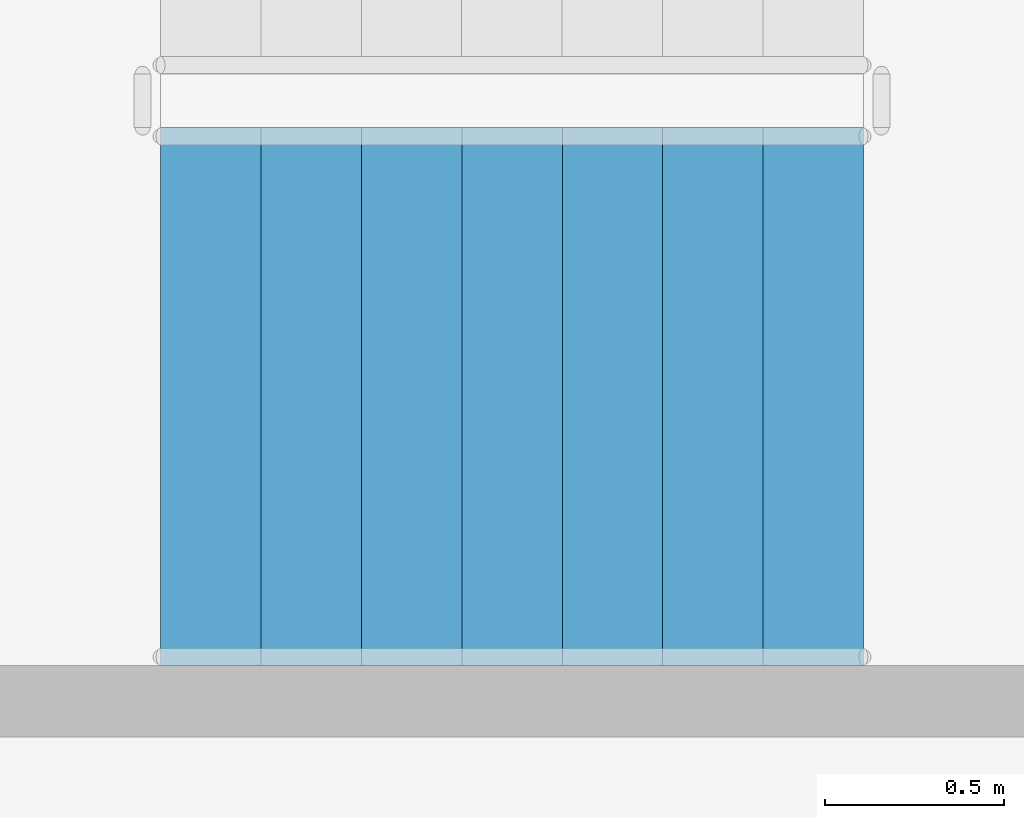
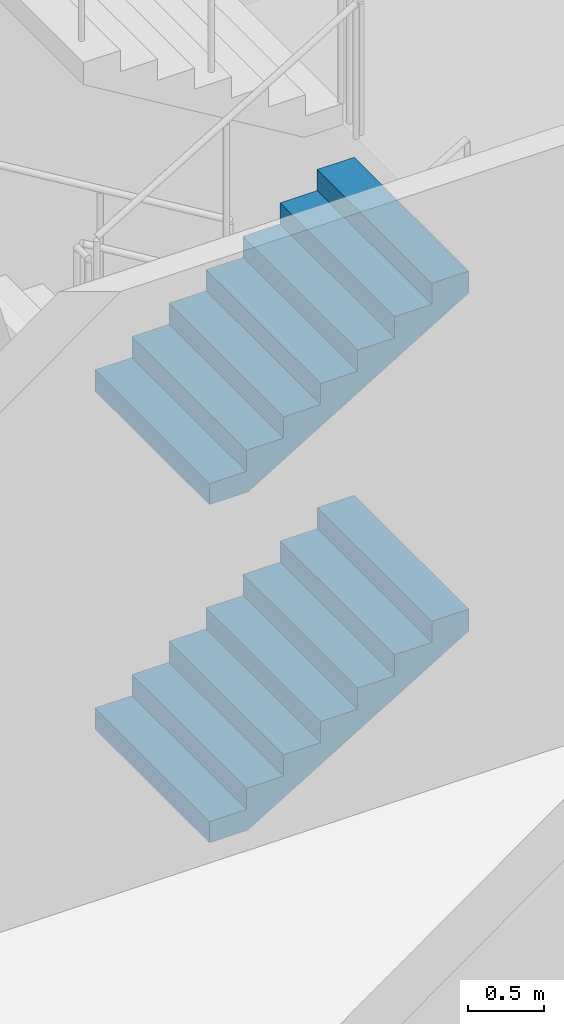
# One storey, part 53 of 101: 2 stair flights, 1 element without a shape of its own.
"""IFC4 building model written with IfcOpenShell, lengths in metres."""

from ifc_helpers import new_model, si_unit, direction, frame, origin, place, context, subcontext, project, spatial, triangles, material, type_object, element, aggregate, save


model = new_model("IFC4")

# Units and contexts
model_context = context("Model", 3, precision=1e-05, world=origin(), true_north=direction((0.0, 1.0)))
body_context = subcontext(model_context, "Body", "Model", "MODEL_VIEW")
ifc_project = project(units=[si_unit("LENGTHUNIT", "METRE"), si_unit("AREAUNIT", "SQUARE_METRE"), si_unit("VOLUMEUNIT", "CUBIC_METRE"), si_unit("PLANEANGLEUNIT", "RADIAN"), si_unit("MASSUNIT", "GRAM", prefix="KILO")], contexts=[model_context])

# Site, building, storey
site_placement = place(None, origin())
site = spatial("IfcSite", under=ifc_project, at=site_placement, CompositionType="ELEMENT")
building_placement = place(site_placement, origin())
building = spatial("IfcBuilding", under=site, at=building_placement, Name="Magnolia Steps Interchange", CompositionType="ELEMENT")
storey_placement = place(building_placement, frame((0.0, 0.0, -5.39990234375)))
storey = spatial("IfcBuildingStorey", under=building, at=storey_placement, Name="B1", CompositionType="ELEMENT", Elevation=-5.39990234375)

# Stair, stair flights
ifc_material_1 = material(Name="Concrete C40", Category="concrete")
stair_type = type_object("IfcStairType", Name="Exit stair 1500", PredefinedType="HALF_TURN_STAIR", material=ifc_material_1)
stair_placement = place(storey_placement, origin())
stair = element("IfcStair", 1, at=stair_placement, inside=storey, type_object=stair_type, Name="B1 Stair 7", PredefinedType="HALF_TURN_STAIR")
ifc_material_2 = material(Name="Concrete C40", Category="concrete")
stair_flight_type = type_object("IfcStairFlightType", Name="Exit stair flight", PredefinedType="STRAIGHT", material=ifc_material_2)
stair_flight_1_placement = place(storey_placement, frame((112.199951171875, 50.300048828125, 0.0), z_axis=(0.0, 0.0, 1.0), x_axis=(1.0, 0.0, 0.0)))
stair_flight_1 = element("IfcStairFlight", 2, at=stair_flight_1_placement, type_object=stair_flight_type, Name="Stair 7 flight 1", NumberOfRisers=8, NumberOfTreads=7, PredefinedType="STRAIGHT", RiserHeight=0.16875, TreadLength=0.28, context=body_context, shape_type="Tessellation", body=[
    triangles([(0.0, -0.75, 0.0), (0.29052734375, -0.75, 0.0), (1.9599609375, -0.75, 1.00634765625), (1.9599609375, -0.75, 1.18115234375), (1.679931640625, -0.75, 1.18115234375), (1.679931640625, -0.75, 1.012451171875), (1.39990234375, -0.75, 1.012451171875), (1.39990234375, -0.75, 0.84375), (1.1201171875, -0.75, 0.84375), (1.1201171875, -0.75, 0.675048828125), (0.840087890625, -0.75, 0.675048828125), (0.840087890625, -0.75, 0.50634765625), (0.56005859375, -0.75, 0.50634765625), (0.56005859375, -0.75, 0.33740234375), (0.280029296875, -0.75, 0.33740234375), (0.280029296875, -0.75, 0.168701171875), (0.0, -0.75, 0.168701171875), (0.0, 0.75, 0.0), (0.29052734375, 0.75, 0.0), (1.9599609375, 0.75, 1.00634765625), (1.9599609375, 0.75, 1.18115234375), (1.679931640625, 0.75, 1.18115234375), (1.679931640625, 0.75, 1.012451171875), (1.39990234375, 0.75, 1.012451171875), (1.39990234375, 0.75, 0.84375), (1.1201171875, 0.75, 0.84375), (1.1201171875, 0.75, 0.675048828125), (0.840087890625, 0.75, 0.675048828125), (0.840087890625, 0.75, 0.50634765625), (0.56005859375, 0.75, 0.50634765625), (0.56005859375, 0.75, 0.33740234375), (0.280029296875, 0.75, 0.33740234375), (0.280029296875, 0.75, 0.168701171875), (0.0, 0.75, 0.168701171875), (0.0, 0.0, 0.0), (0.0, 0.0, 0.04217529296875), (0.0, 0.0, 0.0843505859375), (0.0, 0.0, 0.12652587890625), (0.0, 0.0, 0.168701171875), (0.0, -0.05, 0.0), (0.0, -0.05, 0.168701171875), (0.0, 0.05, 0.0), (0.0, 0.05, 0.168701171875), (0.046671549479166664, 0.0, 0.168701171875), (0.09334309895833333, 0.0, 0.168701171875), (0.1400146484375, 0.0, 0.168701171875), (0.18668619791666666, 0.0, 0.168701171875), (0.23335774739583334, 0.0, 0.168701171875), (0.280029296875, 0.0, 0.168701171875), (0.280029296875, -0.05, 0.168701171875), (0.280029296875, 0.05, 0.168701171875), (0.280029296875, 0.0, 0.21087646484375), (0.280029296875, 0.0, 0.2530517578125), (0.280029296875, 0.0, 0.29522705078125), (0.280029296875, 0.0, 0.33740234375), (0.280029296875, -0.05, 0.33740234375), (0.280029296875, 0.05, 0.33740234375), (0.3267008463541667, 0.0, 0.33740234375), (0.3733723958333333, 0.0, 0.33740234375), (0.4200439453125, 0.0, 0.33740234375), (0.46671549479166663, 0.0, 0.33740234375), (0.5133870442708334, 0.0, 0.33740234375), (0.56005859375, 0.0, 0.33740234375), (0.56005859375, -0.05, 0.33740234375), (0.56005859375, 0.05, 0.33740234375), (0.56005859375, 0.0, 0.379638671875), (0.56005859375, 0.0, 0.421875), (0.56005859375, 0.0, 0.464111328125), (0.56005859375, 0.0, 0.50634765625), (0.56005859375, -0.05, 0.50634765625), (0.56005859375, 0.05, 0.50634765625), (0.6067301432291666, 0.0, 0.50634765625), (0.6534016927083334, 0.0, 0.50634765625), (0.7000732421875, 0.0, 0.50634765625), (0.7467447916666666, 0.0, 0.50634765625), (0.7934163411458334, 0.0, 0.50634765625), (0.840087890625, 0.0, 0.50634765625), (0.840087890625, -0.05, 0.50634765625), (0.840087890625, 0.05, 0.50634765625), (0.840087890625, 0.0, 0.54852294921875), (0.840087890625, 0.0, 0.5906982421875), (0.840087890625, 0.0, 0.63287353515625), (0.840087890625, 0.0, 0.675048828125), (0.840087890625, -0.05, 0.675048828125), (0.840087890625, 0.05, 0.675048828125), (0.8867594401041666, 0.0, 0.675048828125), (0.9334309895833334, 0.0, 0.675048828125), (0.9801025390625, 0.0, 0.675048828125), (1.0267740885416667, 0.0, 0.675048828125), (1.0734456380208333, 0.0, 0.675048828125), (1.1201171875, 0.0, 0.675048828125), (1.1201171875, -0.05, 0.675048828125), (1.1201171875, 0.05, 0.675048828125), (1.1201171875, 0.0, 0.71722412109375), (1.1201171875, 0.0, 0.7593994140625), (1.1201171875, 0.0, 0.80157470703125), (1.1201171875, 0.0, 0.84375), (1.1201171875, -0.05, 0.84375), (1.1201171875, 0.05, 0.84375), (1.1900634765625, 0.0, 0.84375), (1.260009765625, 0.0, 0.84375), (1.3299560546875, 0.0, 0.84375), (1.39990234375, 0.0, 0.84375), (1.39990234375, -0.05, 0.84375), (1.39990234375, 0.05, 0.84375), (1.39990234375, 0.0, 0.88592529296875), (1.39990234375, 0.0, 0.9281005859375), (1.39990234375, 0.0, 0.97027587890625), (1.39990234375, 0.0, 1.012451171875), (1.39990234375, -0.05, 1.012451171875), (1.39990234375, 0.05, 1.012451171875), (1.4465738932291667, 0.0, 1.012451171875), (1.4932454427083333, 0.0, 1.012451171875), (1.5399169921875, 0.0, 1.012451171875), (1.5865885416666667, 0.0, 1.012451171875), (1.6332600911458333, 0.0, 1.012451171875), (1.679931640625, 0.0, 1.012451171875), (1.679931640625, -0.05, 1.012451171875), (1.679931640625, 0.05, 1.012451171875), (1.679931640625, 0.0, 1.05462646484375), (1.679931640625, 0.0, 1.0968017578125), (1.679931640625, 0.0, 1.13897705078125), (1.679931640625, 0.0, 1.18115234375), (1.679931640625, -0.05, 1.18115234375), (1.679931640625, 0.05, 1.18115234375), (1.7266031901041667, 0.0, 1.18115234375), (1.7732747395833333, 0.0, 1.18115234375), (1.8199462890625, 0.0, 1.18115234375), (1.8666178385416667, 0.0, 1.18115234375), (1.9132893880208333, 0.0, 1.18115234375), (1.9599609375, 0.0, 1.18115234375), (1.9599609375, -0.05, 1.18115234375), (1.9599609375, 0.05, 1.18115234375), (1.9599609375, 0.0, 1.137451171875), (1.9599609375, 0.0, 1.09375), (1.9599609375, 0.0, 1.050048828125), (1.9599609375, 0.0, 1.00634765625), (1.9599609375, -0.05, 1.00634765625), (1.9599609375, 0.05, 1.00634765625), (1.9003383091517858, 0.0, 0.9704066685267857), (1.8407156808035714, 0.0, 0.9344656808035714), (1.7810930524553572, 0.0, 0.8985246930803571), (1.7214704241071428, 0.0, 0.8625837053571428), (1.6618477957589286, 0.0, 0.8266427176339286), (1.6022251674107144, 0.0, 0.7907017299107143), (1.5426025390625, 0.0, 0.7547607421875), (1.4829799107142856, 0.0, 0.7188197544642857), (1.4233572823660714, 0.0, 0.6828787667410714), (1.3637346540178572, 0.0, 0.6469377790178572), (1.3041120256696428, 0.0, 0.6109967912946428), (1.2444893973214286, 0.0, 0.5750558035714286), (1.1848667689732144, 0.0, 0.5391148158482143), (1.125244140625, 0.0, 0.503173828125), (1.0656215122767856, 0.0, 0.4672328404017857), (1.0059988839285714, 0.0, 0.4312918526785714), (0.9463762555803572, 0.0, 0.3953508649553571), (0.8867536272321428, 0.0, 0.3594098772321429), (0.8271309988839286, 0.0, 0.3234688895089286), (0.7675083705357142, 0.0, 0.2875279017857143), (0.7078857421875, 0.0, 0.2515869140625), (0.6482631138392858, 0.0, 0.2156459263392857), (0.5886404854910714, 0.0, 0.1797049386160714), (0.5290178571428572, 0.0, 0.1437639508928571), (0.4693952287946428, 0.0, 0.1078229631696429), (0.4097726004464286, 0.0, 0.0718819754464286), (0.3501499720982142, 0.0, 0.0359409877232143), (0.29052734375, 0.0, 0.0), (0.29052734375, -0.05, 0.0), (0.29052734375, 0.05, 0.0), (0.24210611979166666, 0.0, 0.0), (0.19368489583333331, 0.0, 0.0), (0.145263671875, 0.0, 0.0), (0.09684244791666666, 0.0, 0.0), (0.04842122395833334, 0.0, 0.0)], [[1, 2, 3], [3, 4, 5], [3, 5, 6], [3, 6, 7], [3, 7, 8], [8, 9, 10], [3, 8, 10], [10, 11, 12], [3, 10, 12], [12, 13, 14], [3, 12, 14], [14, 15, 16], [3, 14, 16], [1, 3, 16], [16, 17, 1], [18, 20, 19], [20, 22, 21], [20, 23, 22], [20, 24, 23], [20, 25, 24], [25, 27, 26], [20, 27, 25], [27, 29, 28], [20, 29, 27], [29, 31, 30], [20, 31, 29], [31, 33, 32], [20, 33, 31], [18, 33, 20], [33, 18, 34], [1, 17, 41], [1, 41, 40], [40, 36, 35], [40, 37, 36], [40, 41, 37], [41, 38, 37], [41, 39, 38], [18, 43, 34], [18, 42, 43], [42, 35, 36], [42, 36, 37], [42, 37, 43], [43, 37, 38], [43, 38, 39], [17, 16, 50], [17, 50, 41], [41, 44, 39], [41, 45, 44], [41, 46, 45], [41, 50, 46], [50, 47, 46], [50, 48, 47], [50, 49, 48], [34, 51, 33], [34, 43, 51], [43, 39, 44], [43, 44, 45], [43, 45, 46], [43, 46, 51], [51, 46, 47], [51, 47, 48], [51, 48, 49], [16, 15, 56], [16, 56, 50], [50, 52, 49], [50, 53, 52], [50, 56, 53], [56, 54, 53], [56, 55, 54], [33, 57, 32], [33, 51, 57], [51, 49, 52], [51, 52, 53], [51, 53, 57], [57, 53, 54], [57, 54, 55], [15, 14, 64], [15, 64, 56], [56, 58, 55], [56, 59, 58], [56, 60, 59], [56, 64, 60], [64, 61, 60], [64, 62, 61], [64, 63, 62], [32, 65, 31], [32, 57, 65], [57, 55, 58], [57, 58, 59], [57, 59, 60], [57, 60, 65], [65, 60, 61], [65, 61, 62], [65, 62, 63], [14, 13, 70], [14, 70, 64], [64, 66, 63], [64, 67, 66], [64, 70, 67], [70, 68, 67], [70, 69, 68], [31, 71, 30], [31, 65, 71], [65, 63, 66], [65, 66, 67], [65, 67, 71], [71, 67, 68], [71, 68, 69], [13, 12, 78], [13, 78, 70], [70, 72, 69], [70, 73, 72], [70, 74, 73], [70, 78, 74], [78, 75, 74], [78, 76, 75], [78, 77, 76], [30, 79, 29], [30, 71, 79], [71, 69, 72], [71, 72, 73], [71, 73, 74], [71, 74, 79], [79, 74, 75], [79, 75, 76], [79, 76, 77], [12, 11, 84], [12, 84, 78], [78, 80, 77], [78, 81, 80], [78, 84, 81], [84, 82, 81], [84, 83, 82], [29, 85, 28], [29, 79, 85], [79, 77, 80], [79, 80, 81], [79, 81, 85], [85, 81, 82], [85, 82, 83], [11, 10, 92], [11, 92, 84], [84, 86, 83], [84, 87, 86], [84, 88, 87], [84, 92, 88], [92, 89, 88], [92, 90, 89], [92, 91, 90], [28, 93, 27], [28, 85, 93], [85, 83, 86], [85, 86, 87], [85, 87, 88], [85, 88, 93], [93, 88, 89], [93, 89, 90], [93, 90, 91], [10, 9, 98], [10, 98, 92], [92, 94, 91], [92, 95, 94], [92, 98, 95], [98, 96, 95], [98, 97, 96], [27, 99, 26], [27, 93, 99], [93, 91, 94], [93, 94, 95], [93, 95, 99], [99, 95, 96], [99, 96, 97], [9, 8, 104], [9, 104, 98], [98, 100, 97], [98, 101, 100], [98, 104, 101], [104, 102, 101], [104, 103, 102], [26, 105, 25], [26, 99, 105], [99, 97, 100], [99, 100, 101], [99, 101, 105], [105, 101, 102], [105, 102, 103], [8, 7, 110], [8, 110, 104], [104, 106, 103], [104, 107, 106], [104, 110, 107], [110, 108, 107], [110, 109, 108], [25, 111, 24], [25, 105, 111], [105, 103, 106], [105, 106, 107], [105, 107, 111], [111, 107, 108], [111, 108, 109], [7, 6, 118], [7, 118, 110], [110, 112, 109], [110, 113, 112], [110, 114, 113], [110, 118, 114], [118, 115, 114], [118, 116, 115], [118, 117, 116], [24, 119, 23], [24, 111, 119], [111, 109, 112], [111, 112, 113], [111, 113, 114], [111, 114, 119], [119, 114, 115], [119, 115, 116], [119, 116, 117], [6, 5, 124], [6, 124, 118], [118, 120, 117], [118, 121, 120], [118, 124, 121], [124, 122, 121], [124, 123, 122], [23, 125, 22], [23, 119, 125], [119, 117, 120], [119, 120, 121], [119, 121, 125], [125, 121, 122], [125, 122, 123], [5, 4, 132], [5, 132, 124], [124, 126, 123], [124, 127, 126], [124, 128, 127], [124, 132, 128], [132, 129, 128], [132, 130, 129], [132, 131, 130], [22, 133, 21], [22, 125, 133], [125, 123, 126], [125, 126, 127], [125, 127, 128], [125, 128, 133], [133, 128, 129], [133, 129, 130], [133, 130, 131], [4, 3, 138], [4, 138, 132], [132, 134, 131], [132, 135, 134], [132, 138, 135], [138, 136, 135], [138, 137, 136], [21, 139, 20], [21, 133, 139], [133, 131, 134], [133, 134, 135], [133, 135, 139], [139, 135, 136], [139, 136, 137], [3, 2, 168], [3, 168, 138], [138, 140, 137], [138, 141, 140], [138, 142, 141], [138, 143, 142], [138, 144, 143], [138, 145, 144], [138, 146, 145], [138, 147, 146], [138, 148, 147], [138, 149, 148], [138, 150, 149], [138, 151, 150], [138, 152, 151], [138, 153, 152], [138, 168, 153], [168, 154, 153], [168, 155, 154], [168, 156, 155], [168, 157, 156], [168, 158, 157], [168, 159, 158], [168, 160, 159], [168, 161, 160], [168, 162, 161], [168, 163, 162], [168, 164, 163], [168, 165, 164], [168, 166, 165], [168, 167, 166], [20, 169, 19], [20, 139, 169], [139, 137, 140], [139, 140, 141], [139, 141, 142], [139, 142, 143], [139, 143, 144], [139, 144, 145], [139, 145, 146], [139, 146, 147], [139, 147, 148], [139, 148, 149], [139, 149, 150], [139, 150, 151], [139, 151, 152], [139, 152, 153], [139, 153, 169], [169, 153, 154], [169, 154, 155], [169, 155, 156], [169, 156, 157], [169, 157, 158], [169, 158, 159], [169, 159, 160], [169, 160, 161], [169, 161, 162], [169, 162, 163], [169, 163, 164], [169, 164, 165], [169, 165, 166], [169, 166, 167], [2, 1, 40], [2, 40, 168], [168, 170, 167], [168, 171, 170], [168, 172, 171], [168, 40, 172], [40, 173, 172], [40, 174, 173], [40, 35, 174], [19, 42, 18], [19, 169, 42], [169, 167, 170], [169, 170, 171], [169, 171, 172], [169, 172, 42], [42, 172, 173], [42, 173, 174], [42, 174, 35]], closed=True),
])
stair_flight_2_placement = place(storey_placement, frame((112.199951171875, 50.300048828125, 2.699951171875), z_axis=(0.0, 0.0, 1.0), x_axis=(1.0, 0.0, 0.0)))
stair_flight_2 = element("IfcStairFlight", 3, at=stair_flight_2_placement, type_object=stair_flight_type, Name="Stair 7 flight 3", NumberOfRisers=8, NumberOfTreads=7, PredefinedType="STRAIGHT", RiserHeight=0.16875, TreadLength=0.28, context=body_context, shape_type="Tessellation", body=[
    triangles([(0.0, -0.75, 0.0), (0.29052734375, -0.75, 0.0), (1.9599609375, -0.75, 1.00634765625), (1.9599609375, -0.75, 1.18115234375), (1.679931640625, -0.75, 1.18115234375), (1.679931640625, -0.75, 1.012451171875), (1.39990234375, -0.75, 1.012451171875), (1.39990234375, -0.75, 0.84375), (1.1201171875, -0.75, 0.84375), (1.1201171875, -0.75, 0.675048828125), (0.840087890625, -0.75, 0.675048828125), (0.840087890625, -0.75, 0.50634765625), (0.56005859375, -0.75, 0.50634765625), (0.56005859375, -0.75, 0.33740234375), (0.280029296875, -0.75, 0.33740234375), (0.280029296875, -0.75, 0.168701171875), (0.0, -0.75, 0.168701171875), (0.0, 0.75, 0.0), (0.29052734375, 0.75, 0.0), (1.9599609375, 0.75, 1.00634765625), (1.9599609375, 0.75, 1.18115234375), (1.679931640625, 0.75, 1.18115234375), (1.679931640625, 0.75, 1.012451171875), (1.39990234375, 0.75, 1.012451171875), (1.39990234375, 0.75, 0.84375), (1.1201171875, 0.75, 0.84375), (1.1201171875, 0.75, 0.675048828125), (0.840087890625, 0.75, 0.675048828125), (0.840087890625, 0.75, 0.50634765625), (0.56005859375, 0.75, 0.50634765625), (0.56005859375, 0.75, 0.33740234375), (0.280029296875, 0.75, 0.33740234375), (0.280029296875, 0.75, 0.168701171875), (0.0, 0.75, 0.168701171875), (0.0, 0.0, 0.0), (0.0, 0.0, 0.04217529296875), (0.0, 0.0, 0.0843505859375), (0.0, 0.0, 0.12652587890625), (0.0, 0.0, 0.168701171875), (0.0, -0.05, 0.0), (0.0, -0.05, 0.168701171875), (0.0, 0.05, 0.0), (0.0, 0.05, 0.168701171875), (0.046671549479166664, 0.0, 0.168701171875), (0.09334309895833333, 0.0, 0.168701171875), (0.1400146484375, 0.0, 0.168701171875), (0.18668619791666666, 0.0, 0.168701171875), (0.23335774739583334, 0.0, 0.168701171875), (0.280029296875, 0.0, 0.168701171875), (0.280029296875, -0.05, 0.168701171875), (0.280029296875, 0.05, 0.168701171875), (0.280029296875, 0.0, 0.21087646484375), (0.280029296875, 0.0, 0.2530517578125), (0.280029296875, 0.0, 0.29522705078125), (0.280029296875, 0.0, 0.33740234375), (0.280029296875, -0.05, 0.33740234375), (0.280029296875, 0.05, 0.33740234375), (0.3267008463541667, 0.0, 0.33740234375), (0.3733723958333333, 0.0, 0.33740234375), (0.4200439453125, 0.0, 0.33740234375), (0.46671549479166663, 0.0, 0.33740234375), (0.5133870442708334, 0.0, 0.33740234375), (0.56005859375, 0.0, 0.33740234375), (0.56005859375, -0.05, 0.33740234375), (0.56005859375, 0.05, 0.33740234375), (0.56005859375, 0.0, 0.379638671875), (0.56005859375, 0.0, 0.421875), (0.56005859375, 0.0, 0.464111328125), (0.56005859375, 0.0, 0.50634765625), (0.56005859375, -0.05, 0.50634765625), (0.56005859375, 0.05, 0.50634765625), (0.6067301432291666, 0.0, 0.50634765625), (0.6534016927083334, 0.0, 0.50634765625), (0.7000732421875, 0.0, 0.50634765625), (0.7467447916666666, 0.0, 0.50634765625), (0.7934163411458334, 0.0, 0.50634765625), (0.840087890625, 0.0, 0.50634765625), (0.840087890625, -0.05, 0.50634765625), (0.840087890625, 0.05, 0.50634765625), (0.840087890625, 0.0, 0.54852294921875), (0.840087890625, 0.0, 0.5906982421875), (0.840087890625, 0.0, 0.63287353515625), (0.840087890625, 0.0, 0.675048828125), (0.840087890625, -0.05, 0.675048828125), (0.840087890625, 0.05, 0.675048828125), (0.8867594401041666, 0.0, 0.675048828125), (0.9334309895833334, 0.0, 0.675048828125), (0.9801025390625, 0.0, 0.675048828125), (1.0267740885416667, 0.0, 0.675048828125), (1.0734456380208333, 0.0, 0.675048828125), (1.1201171875, 0.0, 0.675048828125), (1.1201171875, -0.05, 0.675048828125), (1.1201171875, 0.05, 0.675048828125), (1.1201171875, 0.0, 0.71722412109375), (1.1201171875, 0.0, 0.7593994140625), (1.1201171875, 0.0, 0.80157470703125), (1.1201171875, 0.0, 0.84375), (1.1201171875, -0.05, 0.84375), (1.1201171875, 0.05, 0.84375), (1.1900634765625, 0.0, 0.84375), (1.260009765625, 0.0, 0.84375), (1.3299560546875, 0.0, 0.84375), (1.39990234375, 0.0, 0.84375), (1.39990234375, -0.05, 0.84375), (1.39990234375, 0.05, 0.84375), (1.39990234375, 0.0, 0.88592529296875), (1.39990234375, 0.0, 0.9281005859375), (1.39990234375, 0.0, 0.97027587890625), (1.39990234375, 0.0, 1.012451171875), (1.39990234375, -0.05, 1.012451171875), (1.39990234375, 0.05, 1.012451171875), (1.4465738932291667, 0.0, 1.012451171875), (1.4932454427083333, 0.0, 1.012451171875), (1.5399169921875, 0.0, 1.012451171875), (1.5865885416666667, 0.0, 1.012451171875), (1.6332600911458333, 0.0, 1.012451171875), (1.679931640625, 0.0, 1.012451171875), (1.679931640625, -0.05, 1.012451171875), (1.679931640625, 0.05, 1.012451171875), (1.679931640625, 0.0, 1.05462646484375), (1.679931640625, 0.0, 1.0968017578125), (1.679931640625, 0.0, 1.13897705078125), (1.679931640625, 0.0, 1.18115234375), (1.679931640625, -0.05, 1.18115234375), (1.679931640625, 0.05, 1.18115234375), (1.7266031901041667, 0.0, 1.18115234375), (1.7732747395833333, 0.0, 1.18115234375), (1.8199462890625, 0.0, 1.18115234375), (1.8666178385416667, 0.0, 1.18115234375), (1.9132893880208333, 0.0, 1.18115234375), (1.9599609375, 0.0, 1.18115234375), (1.9599609375, -0.05, 1.18115234375), (1.9599609375, 0.05, 1.18115234375), (1.9599609375, 0.0, 1.137451171875), (1.9599609375, 0.0, 1.09375), (1.9599609375, 0.0, 1.050048828125), (1.9599609375, 0.0, 1.00634765625), (1.9599609375, -0.05, 1.00634765625), (1.9599609375, 0.05, 1.00634765625), (1.9003383091517858, 0.0, 0.9704066685267857), (1.8407156808035714, 0.0, 0.9344656808035714), (1.7810930524553572, 0.0, 0.8985246930803571), (1.7214704241071428, 0.0, 0.8625837053571428), (1.6618477957589286, 0.0, 0.8266427176339286), (1.6022251674107144, 0.0, 0.7907017299107143), (1.5426025390625, 0.0, 0.7547607421875), (1.4829799107142856, 0.0, 0.7188197544642857), (1.4233572823660714, 0.0, 0.6828787667410714), (1.3637346540178572, 0.0, 0.6469377790178572), (1.3041120256696428, 0.0, 0.6109967912946428), (1.2444893973214286, 0.0, 0.5750558035714286), (1.1848667689732144, 0.0, 0.5391148158482143), (1.125244140625, 0.0, 0.503173828125), (1.0656215122767856, 0.0, 0.4672328404017857), (1.0059988839285714, 0.0, 0.4312918526785714), (0.9463762555803572, 0.0, 0.3953508649553571), (0.8867536272321428, 0.0, 0.3594098772321429), (0.8271309988839286, 0.0, 0.3234688895089286), (0.7675083705357142, 0.0, 0.2875279017857143), (0.7078857421875, 0.0, 0.2515869140625), (0.6482631138392858, 0.0, 0.2156459263392857), (0.5886404854910714, 0.0, 0.1797049386160714), (0.5290178571428572, 0.0, 0.1437639508928571), (0.4693952287946428, 0.0, 0.1078229631696429), (0.4097726004464286, 0.0, 0.0718819754464286), (0.3501499720982142, 0.0, 0.0359409877232143), (0.29052734375, 0.0, 0.0), (0.29052734375, -0.05, 0.0), (0.29052734375, 0.05, 0.0), (0.24210611979166666, 0.0, 0.0), (0.19368489583333331, 0.0, 0.0), (0.145263671875, 0.0, 0.0), (0.09684244791666666, 0.0, 0.0), (0.04842122395833334, 0.0, 0.0)], [[1, 2, 3], [3, 4, 5], [3, 5, 6], [3, 6, 7], [3, 7, 8], [8, 9, 10], [3, 8, 10], [10, 11, 12], [3, 10, 12], [12, 13, 14], [3, 12, 14], [14, 15, 16], [3, 14, 16], [1, 3, 16], [16, 17, 1], [18, 20, 19], [20, 22, 21], [20, 23, 22], [20, 24, 23], [20, 25, 24], [25, 27, 26], [20, 27, 25], [27, 29, 28], [20, 29, 27], [29, 31, 30], [20, 31, 29], [31, 33, 32], [20, 33, 31], [18, 33, 20], [33, 18, 34], [1, 17, 41], [1, 41, 40], [40, 36, 35], [40, 37, 36], [40, 41, 37], [41, 38, 37], [41, 39, 38], [18, 43, 34], [18, 42, 43], [42, 35, 36], [42, 36, 37], [42, 37, 43], [43, 37, 38], [43, 38, 39], [17, 16, 50], [17, 50, 41], [41, 44, 39], [41, 45, 44], [41, 46, 45], [41, 50, 46], [50, 47, 46], [50, 48, 47], [50, 49, 48], [34, 51, 33], [34, 43, 51], [43, 39, 44], [43, 44, 45], [43, 45, 46], [43, 46, 51], [51, 46, 47], [51, 47, 48], [51, 48, 49], [16, 15, 56], [16, 56, 50], [50, 52, 49], [50, 53, 52], [50, 56, 53], [56, 54, 53], [56, 55, 54], [33, 57, 32], [33, 51, 57], [51, 49, 52], [51, 52, 53], [51, 53, 57], [57, 53, 54], [57, 54, 55], [15, 14, 64], [15, 64, 56], [56, 58, 55], [56, 59, 58], [56, 60, 59], [56, 64, 60], [64, 61, 60], [64, 62, 61], [64, 63, 62], [32, 65, 31], [32, 57, 65], [57, 55, 58], [57, 58, 59], [57, 59, 60], [57, 60, 65], [65, 60, 61], [65, 61, 62], [65, 62, 63], [14, 13, 70], [14, 70, 64], [64, 66, 63], [64, 67, 66], [64, 70, 67], [70, 68, 67], [70, 69, 68], [31, 71, 30], [31, 65, 71], [65, 63, 66], [65, 66, 67], [65, 67, 71], [71, 67, 68], [71, 68, 69], [13, 12, 78], [13, 78, 70], [70, 72, 69], [70, 73, 72], [70, 74, 73], [70, 78, 74], [78, 75, 74], [78, 76, 75], [78, 77, 76], [30, 79, 29], [30, 71, 79], [71, 69, 72], [71, 72, 73], [71, 73, 74], [71, 74, 79], [79, 74, 75], [79, 75, 76], [79, 76, 77], [12, 11, 84], [12, 84, 78], [78, 80, 77], [78, 81, 80], [78, 84, 81], [84, 82, 81], [84, 83, 82], [29, 85, 28], [29, 79, 85], [79, 77, 80], [79, 80, 81], [79, 81, 85], [85, 81, 82], [85, 82, 83], [11, 10, 92], [11, 92, 84], [84, 86, 83], [84, 87, 86], [84, 88, 87], [84, 92, 88], [92, 89, 88], [92, 90, 89], [92, 91, 90], [28, 93, 27], [28, 85, 93], [85, 83, 86], [85, 86, 87], [85, 87, 88], [85, 88, 93], [93, 88, 89], [93, 89, 90], [93, 90, 91], [10, 9, 98], [10, 98, 92], [92, 94, 91], [92, 95, 94], [92, 98, 95], [98, 96, 95], [98, 97, 96], [27, 99, 26], [27, 93, 99], [93, 91, 94], [93, 94, 95], [93, 95, 99], [99, 95, 96], [99, 96, 97], [9, 8, 104], [9, 104, 98], [98, 100, 97], [98, 101, 100], [98, 104, 101], [104, 102, 101], [104, 103, 102], [26, 105, 25], [26, 99, 105], [99, 97, 100], [99, 100, 101], [99, 101, 105], [105, 101, 102], [105, 102, 103], [8, 7, 110], [8, 110, 104], [104, 106, 103], [104, 107, 106], [104, 110, 107], [110, 108, 107], [110, 109, 108], [25, 111, 24], [25, 105, 111], [105, 103, 106], [105, 106, 107], [105, 107, 111], [111, 107, 108], [111, 108, 109], [7, 6, 118], [7, 118, 110], [110, 112, 109], [110, 113, 112], [110, 114, 113], [110, 118, 114], [118, 115, 114], [118, 116, 115], [118, 117, 116], [24, 119, 23], [24, 111, 119], [111, 109, 112], [111, 112, 113], [111, 113, 114], [111, 114, 119], [119, 114, 115], [119, 115, 116], [119, 116, 117], [6, 5, 124], [6, 124, 118], [118, 120, 117], [118, 121, 120], [118, 124, 121], [124, 122, 121], [124, 123, 122], [23, 125, 22], [23, 119, 125], [119, 117, 120], [119, 120, 121], [119, 121, 125], [125, 121, 122], [125, 122, 123], [5, 4, 132], [5, 132, 124], [124, 126, 123], [124, 127, 126], [124, 128, 127], [124, 132, 128], [132, 129, 128], [132, 130, 129], [132, 131, 130], [22, 133, 21], [22, 125, 133], [125, 123, 126], [125, 126, 127], [125, 127, 128], [125, 128, 133], [133, 128, 129], [133, 129, 130], [133, 130, 131], [4, 3, 138], [4, 138, 132], [132, 134, 131], [132, 135, 134], [132, 138, 135], [138, 136, 135], [138, 137, 136], [21, 139, 20], [21, 133, 139], [133, 131, 134], [133, 134, 135], [133, 135, 139], [139, 135, 136], [139, 136, 137], [3, 2, 168], [3, 168, 138], [138, 140, 137], [138, 141, 140], [138, 142, 141], [138, 143, 142], [138, 144, 143], [138, 145, 144], [138, 146, 145], [138, 147, 146], [138, 148, 147], [138, 149, 148], [138, 150, 149], [138, 151, 150], [138, 152, 151], [138, 153, 152], [138, 168, 153], [168, 154, 153], [168, 155, 154], [168, 156, 155], [168, 157, 156], [168, 158, 157], [168, 159, 158], [168, 160, 159], [168, 161, 160], [168, 162, 161], [168, 163, 162], [168, 164, 163], [168, 165, 164], [168, 166, 165], [168, 167, 166], [20, 169, 19], [20, 139, 169], [139, 137, 140], [139, 140, 141], [139, 141, 142], [139, 142, 143], [139, 143, 144], [139, 144, 145], [139, 145, 146], [139, 146, 147], [139, 147, 148], [139, 148, 149], [139, 149, 150], [139, 150, 151], [139, 151, 152], [139, 152, 153], [139, 153, 169], [169, 153, 154], [169, 154, 155], [169, 155, 156], [169, 156, 157], [169, 157, 158], [169, 158, 159], [169, 159, 160], [169, 160, 161], [169, 161, 162], [169, 162, 163], [169, 163, 164], [169, 164, 165], [169, 165, 166], [169, 166, 167], [2, 1, 40], [2, 40, 168], [168, 170, 167], [168, 171, 170], [168, 172, 171], [168, 40, 172], [40, 173, 172], [40, 174, 173], [40, 35, 174], [19, 42, 18], [19, 169, 42], [169, 167, 170], [169, 170, 171], [169, 171, 172], [169, 172, 42], [42, 172, 173], [42, 173, 174], [42, 174, 35]], closed=True),
])
aggregate(stair, [stair_flight_1, stair_flight_2])

save(model, "model.ifc")
